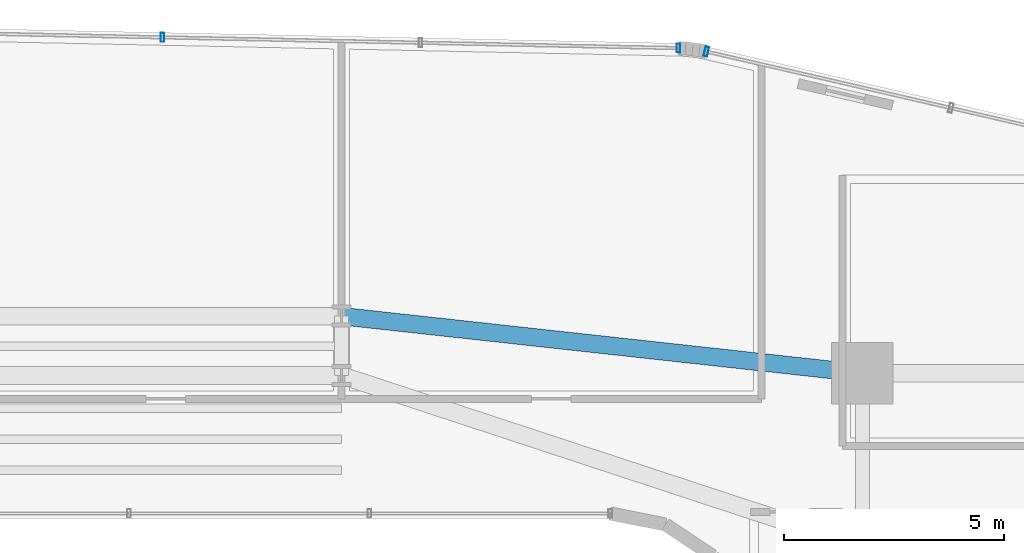
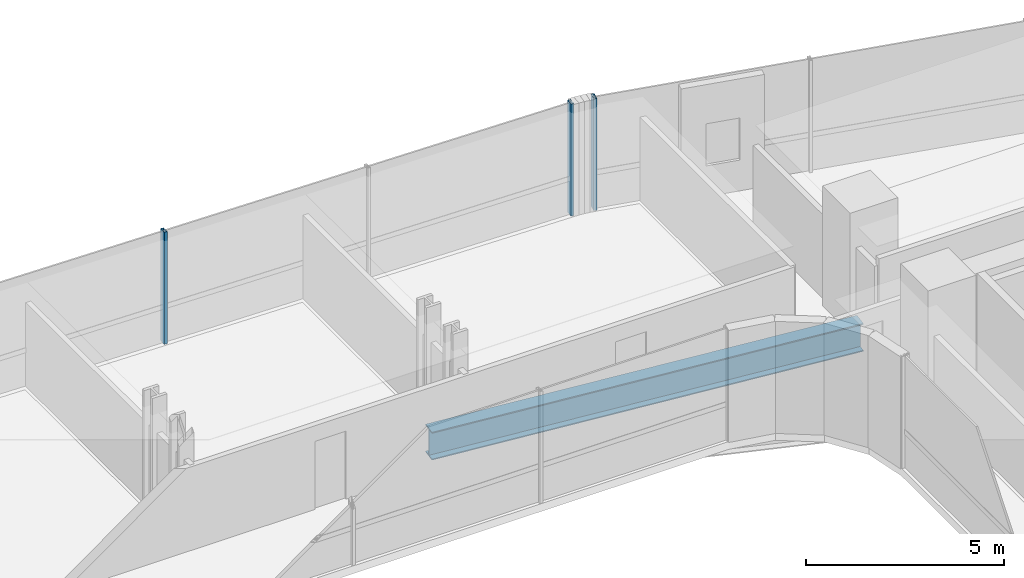
# One storey, part 21 of 38: 3 members, 1 beam, 2 elements without a shape of their own.
"""IFC4 building model written with IfcOpenShell, lengths in metres."""

from ifc_helpers import new_model, si_unit, direction, frame, origin, origin_2d, place, context, subcontext, project, spatial, hollow_rectangle, i_section, extrude, source, transform, mapped, material, material_profile, profile_set, type_object, element, aggregate, save


model = new_model("IFC4")

# Units and contexts
model_context = context("Model", 3, precision=1e-05, world=origin(), true_north=direction((0.0, 1.0)))
body_context = subcontext(model_context, "Body", "Model", "MODEL_VIEW")
ifc_project = project(units=[si_unit("LENGTHUNIT", "METRE"), si_unit("AREAUNIT", "SQUARE_METRE"), si_unit("VOLUMEUNIT", "CUBIC_METRE"), si_unit("PLANEANGLEUNIT", "RADIAN"), si_unit("MASSUNIT", "GRAM", prefix="KILO")], contexts=[model_context])

# Site, building, storey
site_placement = place(None, origin())
site = spatial("IfcSite", under=ifc_project, at=site_placement, CompositionType="ELEMENT")
building_placement = place(site_placement, origin())
building = spatial("IfcBuilding", under=site, at=building_placement, Name="Valdorenza Pilgrim Sanctuary Tower", CompositionType="ELEMENT")
storey_placement = place(building_placement, frame((0.0, 0.0, 37.10009765625)))
storey = spatial("IfcBuildingStorey", under=building, at=storey_placement, Name="L08", CompositionType="ELEMENT", Elevation=37.10009765625)

# Beam
ifc_material_1 = material(Name="Steel ASTM A992 Grade 50", Category="steel")
ifc_material_profile_1 = material_profile(ifc_material_1, i_section(OverallWidth=0.39990234375, OverallDepth=0.862060546875, WebThickness=0.019775390625, FlangeThickness=0.032470703125, at=origin_2d()), Name="W33X221")
ifc_profile_set_1 = profile_set([ifc_material_profile_1], Name="Steel ASTM A992 Grade 50")
beam_type = type_object("IfcBeamType", Name="STR-BM-GRD-W33", PredefinedType="BEAM", material=ifc_profile_set_1)
shared_shape_1 = source(origin(), body_context, "Body", "SweptSolid", [
    extrude(i_section(OverallWidth=0.39990234375, OverallDepth=0.862060546875, WebThickness=0.019775390625, FlangeThickness=0.032470703125, at=origin_2d()), origin(), (0.0, 0.0, 1.0), 11.921142578125),
])
beam_placement = place(storey_placement, frame((4.0, 14.800048828125, -0.671142578125), z_axis=(0.994035876607, -0.10905354656, 0.0), x_axis=(0.10905354656, 0.994035876607, 0.0)))
element("IfcBeam", 1, at=beam_placement, inside=storey, type_object=beam_type, Name="L08 Floor Girder KNK-G6", PredefinedType="BEAM", context=body_context, shape_type="MappedRepresentation", body=[
    mapped(shared_shape_1, transform((0.0, 0.0, 0.0), x_axis=(1.0, 0.0, 0.0), y_axis=(0.0, 1.0, 0.0), z_axis=(0.0, 0.0, 1.0), scale=1.0)),
])

# Curtain wall, members
ifc_material_2 = material(Name="Curtain-wall IGU glazing", Category="glass")
curtain_wall_type_1 = type_object("IfcCurtainWallType", Name="CW-SYS-02", PredefinedType="NOTDEFINED", material=ifc_material_2)
curtain_wall_1_placement = place(storey_placement, origin())
curtain_wall_1 = element("IfcCurtainWall", 2, at=curtain_wall_1_placement, inside=storey, type_object=curtain_wall_type_1, Name="L08 Curtain Wall CW-L08-1-11", PredefinedType="NOTDEFINED")
ifc_material_3 = material(Name="Anodised aluminium AW-6060", Category="aluminium")
ifc_material_profile_2 = material_profile(ifc_material_3, hollow_rectangle(XDim=0.0849609375, YDim=0.199951171875, WallThickness=0.0048828125, at=origin_2d()), Name="ALU-M 200x85x5")
ifc_profile_set_2 = profile_set([ifc_material_profile_2], Name="Anodised aluminium AW-6060")
member_type_1 = type_object("IfcMemberType", Name="CW-MUL-02", PredefinedType="MULLION", material=ifc_profile_set_2)
shared_shape_2 = source(origin(), body_context, "Body", "SweptSolid", [
    extrude(hollow_rectangle(XDim=0.0849609375, YDim=0.199951171875, WallThickness=0.0048828125, at=origin_2d()), origin(), (0.0, 0.0, 1.0), 3.4599609375),
])
member_1_placement = place(storey_placement, frame((-0.0712890625, 21.1416015625, 0.0), z_axis=(0.0, 0.0, 1.0), x_axis=(0.999783234613, -0.020820273474, 0.0)))
member_1 = element("IfcMember", 3, at=member_1_placement, type_object=member_type_1, Name="CW-L08-1-11 Mullion 3", PredefinedType="MULLION", context=body_context, shape_type="MappedRepresentation", body=[
    mapped(shared_shape_2, transform((0.0, 0.0, 0.0), x_axis=(1.0, 0.0, 0.0), y_axis=(0.0, 1.0, 0.0), z_axis=(0.0, 0.0, 1.0), scale=1.0)),
])
member_2_placement = place(storey_placement, frame((11.665771484375, 20.89697265625, 0.0), z_axis=(0.0, 0.0, 1.0), x_axis=(0.999783234613, -0.020820273474, 0.0)))
member_2 = element("IfcMember", 4, at=member_2_placement, type_object=member_type_1, Name="CW-L08-1-11 Mullion 5", PredefinedType="MULLION", context=body_context, shape_type="MappedRepresentation", body=[
    mapped(shared_shape_2, transform((0.0, 0.0, 0.0), x_axis=(1.0, 0.0, 0.0), y_axis=(0.0, 1.0, 0.0), z_axis=(0.0, 0.0, 1.0), scale=1.0)),
])
aggregate(curtain_wall_1, [member_1, member_2])

# Curtain wall, member
curtain_wall_type_2 = type_object("IfcCurtainWallType", Name="CW-SYS-03", PredefinedType="NOTDEFINED", material=ifc_material_2)
curtain_wall_2_placement = place(storey_placement, origin())
curtain_wall_2 = element("IfcCurtainWall", 5, at=curtain_wall_2_placement, inside=storey, type_object=curtain_wall_type_2, Name="L08 Curtain Wall CW-L08-1-16", PredefinedType="NOTDEFINED")
ifc_material_profile_3 = material_profile(ifc_material_3, hollow_rectangle(XDim=0.0849609375, YDim=0.219970703125, WallThickness=0.0048828125, at=origin_2d()), Name="ALU-M 220x85x5")
ifc_profile_set_3 = profile_set([ifc_material_profile_3], Name="Anodised aluminium AW-6060")
member_type_2 = type_object("IfcMemberType", Name="CW-MUL-03", PredefinedType="MULLION", material=ifc_profile_set_3)
shared_shape_3 = source(origin(), body_context, "Body", "SweptSolid", [
    extrude(hollow_rectangle(XDim=0.0849609375, YDim=0.219970703125, WallThickness=0.0048828125, at=origin_2d()), origin(), (0.0, 0.0, 1.0), 3.4599609375),
])
member_3_placement = place(storey_placement, frame((12.299072265625, 20.818115234375, 0.0), z_axis=(0.0, 0.0, 1.0), x_axis=(0.974389691758, -0.224866023659, 0.0)))
member_3 = element("IfcMember", 6, at=member_3_placement, type_object=member_type_2, Name="CW-L08-1-16 Mullion 1", PredefinedType="MULLION", context=body_context, shape_type="MappedRepresentation", body=[
    mapped(shared_shape_3, transform((0.0, 0.0, 0.0), x_axis=(1.0, 0.0, 0.0), y_axis=(0.0, 1.0, 0.0), z_axis=(0.0, 0.0, 1.0), scale=1.0)),
])
aggregate(curtain_wall_2, [member_3])

save(model, "model.ifc")
